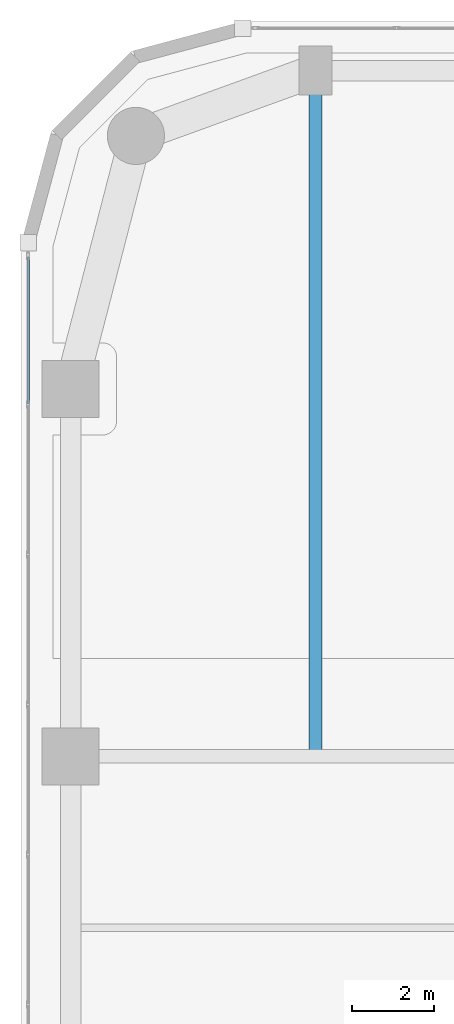
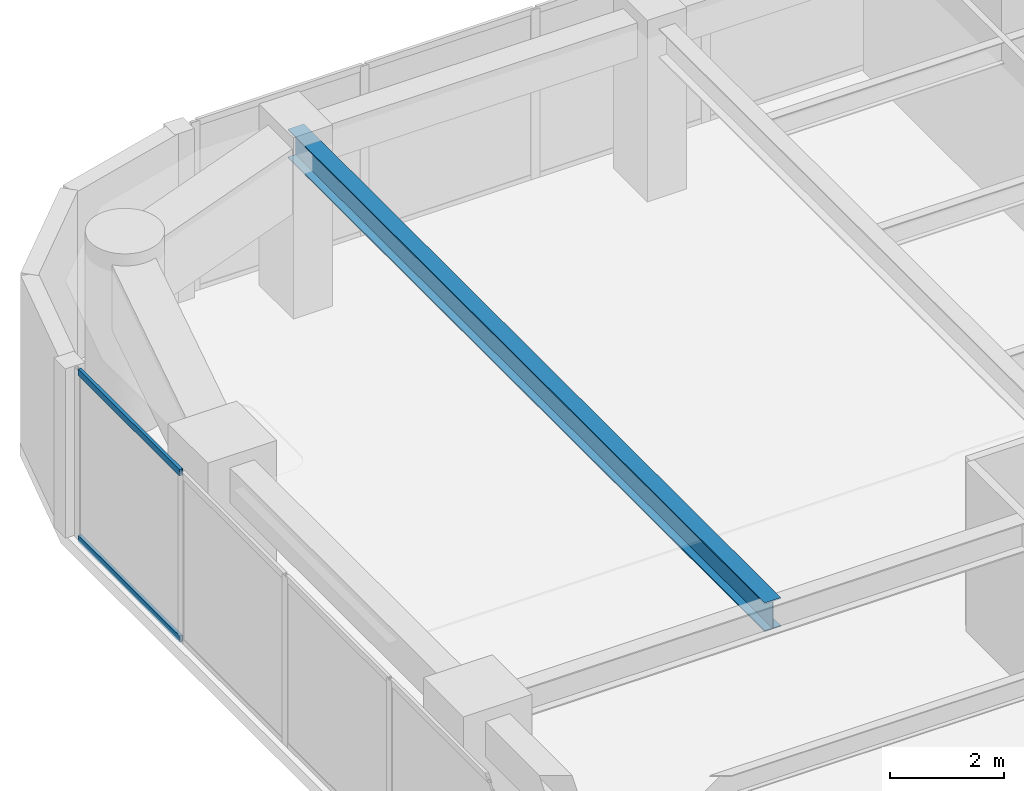
# One storey, part 10 of 24: 2 members, 1 beam, 1 element without a shape of its own.
"""IFC4 building model written with IfcOpenShell, lengths in metres."""

from ifc_helpers import new_model, si_unit, direction, frame, origin, origin_2d, place, context, subcontext, project, spatial, hollow_rectangle, i_section, extrude, material, layer, layer_set, material_profile, profile_set, type_object, element, aggregate, save


model = new_model("IFC4")

# Units and contexts
model_context = context("Model", 3, precision=1e-05, world=origin(), true_north=direction((0.0, 1.0)))
body_context = subcontext(model_context, "Body", "Model", "MODEL_VIEW")
ifc_project = project(units=[si_unit("LENGTHUNIT", "METRE"), si_unit("AREAUNIT", "SQUARE_METRE"), si_unit("VOLUMEUNIT", "CUBIC_METRE"), si_unit("PLANEANGLEUNIT", "RADIAN"), si_unit("MASSUNIT", "GRAM", prefix="KILO")], contexts=[model_context])

# Site, building, storey
site_placement = place(None, origin())
site = spatial("IfcSite", under=ifc_project, at=site_placement, CompositionType="ELEMENT")
building_placement = place(site_placement, origin())
building = spatial("IfcBuilding", under=site, at=building_placement, Name="Kiyonajd Concourse Tower", CompositionType="ELEMENT")
storey_placement = place(building_placement, frame((0.0, 0.0, 133.800048828125)))
storey = spatial("IfcBuildingStorey", under=building, at=storey_placement, Name="L34", CompositionType="ELEMENT", Elevation=133.800048828125)

# Beam
ifc_material_1 = material(Name="Steel ASTM A992 Grade 50", Category="steel")
ifc_material_profile_1 = material_profile(ifc_material_1, i_section(OverallWidth=0.326904296875, OverallDepth=0.6220703125, WebThickness=0.015380859375, FlangeThickness=0.0244140625, at=origin_2d()), Name="W610X195")
ifc_profile_set_1 = profile_set([ifc_material_profile_1], Name="Steel ASTM A992 Grade 50")
beam_type = type_object("IfcBeamType", Name="BM-TWR-610A", PredefinedType="BEAM", material=ifc_profile_set_1)
beam_placement = place(storey_placement, frame((25.199951171875, 44.39990234375, 3.328857421875), z_axis=(0.0, 1.0, 0.0), x_axis=(-1.0, 0.0, 0.0)))
element("IfcBeam", 1, at=beam_placement, inside=storey, type_object=beam_type, Name="L34 North Lease Girder", PredefinedType="BEAM", context=body_context, shape_type="SweptSolid", body=[
    extrude(i_section(OverallWidth=0.326904296875, OverallDepth=0.6220703125, WebThickness=0.015380859375, FlangeThickness=0.0244140625, at=origin_2d()), origin(), (0.0, 0.0, 1.0), 16.800048828125),
])

# Curtain wall, members
ifc_material_2 = material(Name="Thermally Broken Anodised Aluminium", Category="aluminium")
ifc_layer = layer(ifc_material_2, 0.179931640625)
ifc_layer_set = layer_set([ifc_layer], Name="Thermally Broken Anodised Aluminium")
curtain_wall_type = type_object("IfcCurtainWallType", Name="CW-SYS-03", PredefinedType="NOTDEFINED", material=ifc_layer_set)
curtain_wall_placement = place(storey_placement, origin())
curtain_wall = element("IfcCurtainWall", 2, at=curtain_wall_placement, inside=storey, type_object=curtain_wall_type, Name="L34 Unitised Curtain Wall CW3", PredefinedType="NOTDEFINED")
ifc_material_profile_2 = material_profile(ifc_material_2, hollow_rectangle(XDim=0.06494140625, YDim=0.139892578125, WallThickness=0.00390625, at=origin_2d()), Name="TRAN-65x140")
ifc_profile_set_2 = profile_set([ifc_material_profile_2], Name="Thermally Broken Anodised Aluminium")
member_type = type_object("IfcMemberType", Name="MB-CW-TRAN1", PredefinedType="USERDEFINED", material=ifc_profile_set_2)
member_1_placement = place(storey_placement, frame((18.159912109375, 53.04833984375, 0.032470703125), z_axis=(0.0, 1.0, 0.0), x_axis=(-1.0, 0.0, 0.0)))
member_1 = element("IfcMember", 3, at=member_1_placement, type_object=member_type, Name="CW3 transom 6.1", ObjectType="TRANSOM", PredefinedType="USERDEFINED", context=body_context, shape_type="SweptSolid", body=[
    extrude(hollow_rectangle(XDim=0.06494140625, YDim=0.139892578125, WallThickness=0.00390625, at=origin_2d()), origin(), (0.0, 0.0, 1.0), 3.575439453125),
])
member_2_placement = place(storey_placement, frame((18.159912109375, 53.04833984375, 3.607421875), z_axis=(0.0, 1.0, 0.0), x_axis=(-1.0, 0.0, 0.0)))
member_2 = element("IfcMember", 4, at=member_2_placement, type_object=member_type, Name="CW3 transom 6.2", ObjectType="TRANSOM", PredefinedType="USERDEFINED", context=body_context, shape_type="SweptSolid", body=[
    extrude(hollow_rectangle(XDim=0.06494140625, YDim=0.139892578125, WallThickness=0.00390625, at=origin_2d()), origin(), (0.0, 0.0, 1.0), 3.575439453125),
])
aggregate(curtain_wall, [member_1, member_2])

save(model, "model.ifc")
